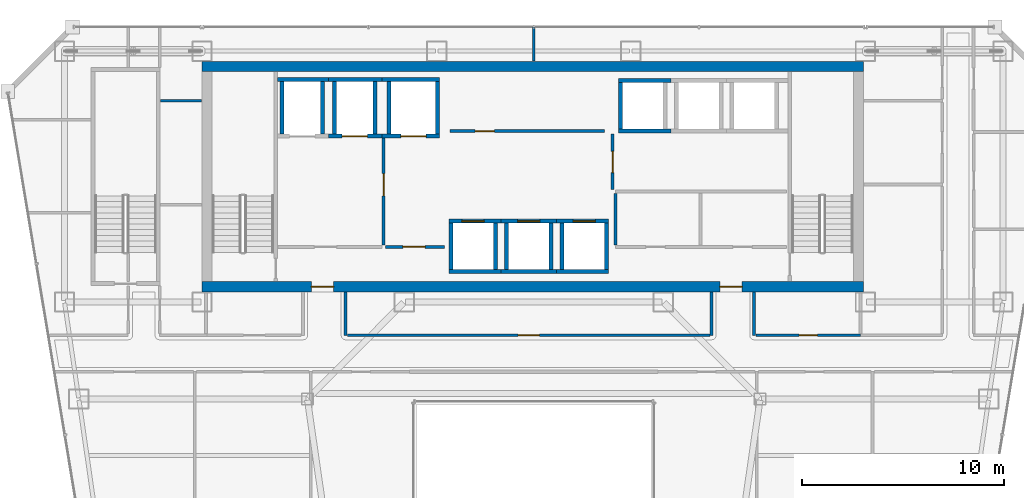
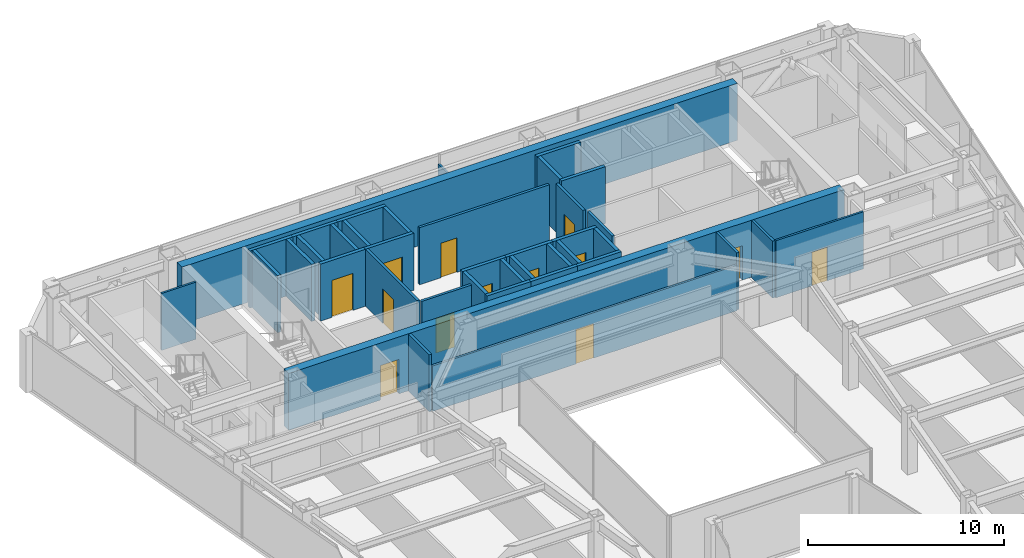
# One storey, part 34 of 40: 40 walls, 13 doors, 13 openings.
"""IFC4 building model written with IfcOpenShell, lengths in metres."""

from ifc_helpers import new_model, si_unit, direction, frame, frame_2d, origin, place, context, subcontext, project, spatial, rectangle, extrude, material, layer, layer_set, type_object, element, fill, save


model = new_model("IFC4")

# Units and contexts
model_context = context("Model", 3, precision=1e-05, world=origin(), true_north=direction((0.0, 1.0)))
body_context = subcontext(model_context, "Body", "Model", "MODEL_VIEW")
ifc_project = project(units=[si_unit("LENGTHUNIT", "METRE"), si_unit("AREAUNIT", "SQUARE_METRE"), si_unit("VOLUMEUNIT", "CUBIC_METRE"), si_unit("PLANEANGLEUNIT", "RADIAN"), si_unit("MASSUNIT", "GRAM", prefix="KILO")], contexts=[model_context])

# Site, building, storey
site_placement = place(None, origin())
site = spatial("IfcSite", under=ifc_project, at=site_placement, CompositionType="ELEMENT")
building_placement = place(site_placement, origin())
building = spatial("IfcBuilding", under=site, at=building_placement, Name="Saevonmaru Cultural Tower", CompositionType="ELEMENT")
storey_placement = place(building_placement, frame((0.0, 0.0, 129.60009765625)))
storey = spatial("IfcBuildingStorey", under=building, at=storey_placement, Name="L27", CompositionType="ELEMENT", Elevation=129.60009765625)

# Wall, openings, doors
ifc_material_1 = material(Name="Concrete C60/75", Category="concrete")
ifc_layer_1 = layer(ifc_material_1, 0.5, Name="Concrete C60/75")
ifc_layer_set_1 = layer_set([ifc_layer_1], Name="Concrete C60/75")
wall_type_1 = type_object("IfcWallType", Name="WL-CORE-500", PredefinedType="SHEAR", material=ifc_layer_set_1)
wall_1_placement = place(storey_placement, frame((13.60009765625, 43.14990234375, 0.0), z_axis=(0.0, 0.0, 1.0), x_axis=(1.0, 0.0, 0.0)))
wall_1 = element("IfcWall", 1, at=wall_1_placement, inside=storey, type_object=wall_type_1, Name="L27 Tower RC core shear wall S", PredefinedType="SHEAR", context=body_context, shape_type="SweptSolid", body=[
    extrude(rectangle(XDim=32.699951171875, YDim=0.5, at=frame_2d((16.35009765625, 0.0))), origin(), (0.0, 0.0, 1.0), 3.5498046875),
])
opening_1_placement = place(wall_1_placement, frame((5.39990234375, 0.0, 0.0)))
opening_1 = element("IfcOpeningElement", 2, at=opening_1_placement, cuts=wall_1, Name="Opening FD-2", PredefinedType="OPENING", context=body_context, shape_type="SweptSolid", body=[
    extrude(rectangle(XDim=1.10009765625, YDim=2.14990234375, at=frame_2d((0.550048828125, 1.074951171875))), frame((0.0, 0.260009765625, 0.0), z_axis=(0.0, -1.0, 0.0), x_axis=(1.0, 0.0, 0.0)), (0.0, 0.0, 1.0), 0.52001953125),
])
opening_2_placement = place(wall_1_placement, frame((25.60009765625, 0.0, 0.0)))
opening_2 = element("IfcOpeningElement", 3, at=opening_2_placement, cuts=wall_1, Name="Opening FD-2", PredefinedType="OPENING", context=body_context, shape_type="SweptSolid", body=[
    extrude(rectangle(XDim=1.10009765625, YDim=2.14990234375, at=frame_2d((0.550048828125, 1.074951171875))), frame((0.0, 0.260009765625, 0.0), z_axis=(0.0, -1.0, 0.0), x_axis=(1.0, 0.0, 0.0)), (0.0, 0.0, 1.0), 0.52001953125),
])
ifc_material_2 = material(Name="Satin Bronze Anodised Aluminium", Category="aluminium")
door_type_1 = type_object("IfcDoorType", Name="DR-FD60-1100", OperationType="SINGLE_SWING_LEFT", PredefinedType="DOOR", material=ifc_material_2)
door_1_placement = place(opening_1_placement, origin())
door_1 = element("IfcDoor", 4, at=door_1_placement, inside=storey, type_object=door_type_1, Name="L27 Core West Lobby Fire Door", OperationType="SINGLE_SWING_LEFT", OverallHeight=2.14990234375, OverallWidth=1.10009765625, PredefinedType="DOOR", context=body_context, shape_type="SweptSolid", body=[
    extrude(rectangle(XDim=1.10009765625, YDim=2.14990234375, at=frame_2d((0.550048828125, 1.074951171875))), frame((0.0, 0.02490234375, 0.0), z_axis=(0.0, -1.0, 0.0), x_axis=(1.0, 0.0, 0.0)), (0.0, 0.0, 1.0), 0.050048828125),
])
fill(opening_1, door_1)
door_2_placement = place(opening_2_placement, origin())
door_2 = element("IfcDoor", 5, at=door_2_placement, inside=storey, type_object=door_type_1, Name="L27 Core East Lobby Fire Door", OperationType="SINGLE_SWING_LEFT", OverallHeight=2.14990234375, OverallWidth=1.10009765625, PredefinedType="DOOR", context=body_context, shape_type="SweptSolid", body=[
    extrude(rectangle(XDim=1.10009765625, YDim=2.14990234375, at=frame_2d((0.550048828125, 1.074951171875))), frame((0.0, 0.02490234375, 0.0), z_axis=(0.0, -1.0, 0.0), x_axis=(1.0, 0.0, 0.0)), (0.0, 0.0, 1.0), 0.050048828125),
])
fill(opening_2, door_2)

# Wall
wall_2_placement = place(storey_placement, frame((13.60009765625, 54.050048828125, 0.0), z_axis=(0.0, 0.0, 1.0), x_axis=(1.0, 0.0, 0.0)))
element("IfcWall", 6, at=wall_2_placement, inside=storey, type_object=wall_type_1, Name="L27 Tower RC core shear wall N", PredefinedType="SHEAR", context=body_context, shape_type="SweptSolid", body=[
    extrude(rectangle(XDim=32.699951171875, YDim=0.5, at=frame_2d((16.35009765625, 0.0))), origin(), (0.0, 0.0, 1.0), 3.5498046875),
])

# Wall, opening, door
ifc_material_3 = material(Name="Gypsum Fireboard Partition", Category="gypsum")
ifc_layer_2 = layer(ifc_material_3, 0.14990234375, Name="Gypsum Fireboard Partition")
ifc_layer_set_2 = layer_set([ifc_layer_2], Name="Gypsum Fireboard Partition")
wall_type_2 = type_object("IfcWallType", Name="WL-CORE-PART-150", PredefinedType="PARTITIONING", material=ifc_layer_set_2)
wall_3_placement = place(storey_placement, frame((22.580078125, 50.550048828125, 0.0), z_axis=(0.0, 0.0, 1.0), x_axis=(0.0, -1.0, 0.0)))
wall_3 = element("IfcWall", 7, at=wall_3_placement, inside=storey, type_object=wall_type_2, Name="L27 Firefighting Lift Lobby East Wall", PredefinedType="PARTITIONING", context=body_context, shape_type="SweptSolid", body=[
    extrude(rectangle(XDim=5.330078125, YDim=0.14990234375, at=frame_2d((2.6650390625, 0.0))), origin(), (0.0, 0.0, 1.0), 3.5498046875),
])
opening_3_placement = place(wall_3_placement, frame((1.800048828125, 0.0, 0.0)))
opening_3 = element("IfcOpeningElement", 8, at=opening_3_placement, cuts=wall_3, Name="Opening FD-2", PredefinedType="OPENING", context=body_context, shape_type="SweptSolid", body=[
    extrude(rectangle(XDim=1.10009765625, YDim=2.14990234375, at=frame_2d((0.550048828125, 1.074951171875))), frame((0.0, 0.0849609375, 0.0), z_axis=(0.0, -1.0, 0.0), x_axis=(1.0, 0.0, 0.0)), (0.0, 0.0, 1.0), 0.169921875),
])
door_3_placement = place(opening_3_placement, origin())
door_3 = element("IfcDoor", 9, at=door_3_placement, inside=storey, type_object=door_type_1, Name="L27 Firefighting Lift Lobby East Door", OperationType="SINGLE_SWING_LEFT", OverallHeight=2.14990234375, OverallWidth=1.10009765625, PredefinedType="DOOR", context=body_context, shape_type="SweptSolid", body=[
    extrude(rectangle(XDim=1.10009765625, YDim=2.14990234375, at=frame_2d((0.550048828125, 1.074951171875))), frame((0.0, 0.02490234375, 0.0), z_axis=(0.0, -1.0, 0.0), x_axis=(1.0, 0.0, 0.0)), (0.0, 0.0, 1.0), 0.050048828125),
])
fill(opening_3, door_3)

wall_4_placement = place(storey_placement, frame((22.679931640625, 45.1201171875, 0.0), z_axis=(0.0, 0.0, 1.0), x_axis=(1.0, 0.0, 0.0)))
wall_4 = element("IfcWall", 10, at=wall_4_placement, inside=storey, type_object=wall_type_2, Name="L27 Service Lift Vestibule Wall", PredefinedType="PARTITIONING", context=body_context, shape_type="SweptSolid", body=[
    extrude(rectangle(XDim=2.920166015625, YDim=0.14990234375, at=frame_2d((1.4599609375, 0.0))), origin(), (0.0, 0.0, 1.0), 3.5498046875),
])
opening_4_placement = place(wall_4_placement, frame((0.85009765625, 0.0, 0.0)))
opening_4 = element("IfcOpeningElement", 11, at=opening_4_placement, cuts=wall_4, Name="Opening FD-2", PredefinedType="OPENING", context=body_context, shape_type="SweptSolid", body=[
    extrude(rectangle(XDim=1.10009765625, YDim=2.14990234375, at=frame_2d((0.550048828125, 1.074951171875))), frame((0.0, 0.0849609375, 0.0), z_axis=(0.0, -1.0, 0.0), x_axis=(1.0, 0.0, 0.0)), (0.0, 0.0, 1.0), 0.169921875),
])
door_4_placement = place(opening_4_placement, origin())
door_4 = element("IfcDoor", 12, at=door_4_placement, inside=storey, type_object=door_type_1, Name="L27 Service Lift Vestibule Door", OperationType="SINGLE_SWING_LEFT", OverallHeight=2.14990234375, OverallWidth=1.10009765625, PredefinedType="DOOR", context=body_context, shape_type="SweptSolid", body=[
    extrude(rectangle(XDim=1.10009765625, YDim=2.14990234375, at=frame_2d((0.550048828125, 1.074951171875))), frame((0.0, 0.02490234375, 0.0), z_axis=(0.0, -1.0, 0.0), x_axis=(1.0, 0.0, 0.0)), (0.0, 0.0, 1.0), 0.050048828125),
])
fill(opening_4, door_4)

wall_5_placement = place(storey_placement, frame((33.89990234375, 47.949951171875, 0.0), z_axis=(0.0, 0.0, 1.0), x_axis=(0.0, 1.0, 0.0)))
wall_5 = element("IfcWall", 13, at=wall_5_placement, inside=storey, type_object=wall_type_2, Name="L27 Zone Lobby Divider", PredefinedType="PARTITIONING", context=body_context, shape_type="SweptSolid", body=[
    extrude(rectangle(XDim=2.75, YDim=0.14990234375, at=frame_2d((1.375, 0.0))), origin(), (0.0, 0.0, 1.0), 3.5498046875),
])
opening_5_placement = place(wall_5_placement, frame((0.85009765625, 0.0, 0.0)))
opening_5 = element("IfcOpeningElement", 14, at=opening_5_placement, cuts=wall_5, Name="Opening ID-1", PredefinedType="OPENING", context=body_context, shape_type="SweptSolid", body=[
    extrude(rectangle(XDim=1.050048828125, YDim=2.14990234375, at=frame_2d((0.52490234375, 1.074951171875))), frame((0.0, 0.0849609375, 0.0), z_axis=(0.0, -1.0, 0.0), x_axis=(1.0, 0.0, 0.0)), (0.0, 0.0, 1.0), 0.169921875),
])
door_type_2 = type_object("IfcDoorType", Name="DR-INT-1050", OperationType="SINGLE_SWING_LEFT", PredefinedType="DOOR", material=ifc_material_2)
door_5_placement = place(opening_5_placement, origin())
door_5 = element("IfcDoor", 15, at=door_5_placement, inside=storey, type_object=door_type_2, Name="L27 Inter-Lobby Link Door", OperationType="SINGLE_SWING_LEFT", OverallHeight=2.14990234375, OverallWidth=1.050048828125, PredefinedType="DOOR", context=body_context, shape_type="SweptSolid", body=[
    extrude(rectangle(XDim=1.050048828125, YDim=2.14990234375, at=frame_2d((0.52490234375, 1.074951171875))), frame((0.0, 0.02490234375, 0.0), z_axis=(0.0, -1.0, 0.0), x_axis=(1.0, 0.0, 0.0)), (0.0, 0.0, 1.0), 0.050048828125),
])
fill(opening_5, door_5)

# Wall
wall_6_placement = place(storey_placement, frame((34.050048828125, 45.219970703125, 0.0), z_axis=(0.0, 0.0, 1.0), x_axis=(0.0, 1.0, 0.0)))
element("IfcWall", 16, at=wall_6_placement, inside=storey, type_object=wall_type_2, Name="L27 Core Plant West Wall", PredefinedType="PARTITIONING", context=body_context, shape_type="SweptSolid", body=[
    extrude(rectangle(XDim=2.530029296875, YDim=0.14990234375, at=frame_2d((1.26513671875, 0.0))), origin(), (0.0, 0.0, 1.0), 3.5498046875),
])

# Wall, opening, door
wall_7_placement = place(storey_placement, frame((25.85009765625, 50.85009765625, 0.0), z_axis=(0.0, 0.0, 1.0), x_axis=(1.0, 0.0, 0.0)))
wall_7 = element("IfcWall", 17, at=wall_7_placement, inside=storey, type_object=wall_type_2, Name="L27 Reclaimed Core Room South Wall", PredefinedType="PARTITIONING", context=body_context, shape_type="SweptSolid", body=[
    extrude(rectangle(XDim=7.64990234375, YDim=0.14990234375, at=frame_2d((3.824951171875, 0.0))), origin(), (0.0, 0.0, 1.0), 3.5498046875),
])
opening_6_placement = place(wall_7_placement, frame((1.25, 0.0, 0.0)))
opening_6 = element("IfcOpeningElement", 18, at=opening_6_placement, cuts=wall_7, Name="Opening FD-4", PredefinedType="OPENING", context=body_context, shape_type="SweptSolid", body=[
    extrude(rectangle(XDim=0.949951171875, YDim=2.14990234375, at=frame_2d((0.47509765625, 1.074951171875))), frame((0.0, 0.0849609375, 0.0), z_axis=(0.0, -1.0, 0.0), x_axis=(1.0, 0.0, 0.0)), (0.0, 0.0, 1.0), 0.169921875),
])
door_type_3 = type_object("IfcDoorType", Name="DR-FD60-950", OperationType="SINGLE_SWING_LEFT", PredefinedType="DOOR", material=ifc_material_2)
door_6_placement = place(opening_6_placement, origin())
door_6 = element("IfcDoor", 19, at=door_6_placement, inside=storey, type_object=door_type_3, Name="L27 Reclaimed Archive Vault Door", OperationType="SINGLE_SWING_LEFT", OverallHeight=2.14990234375, OverallWidth=0.949951171875, PredefinedType="DOOR", context=body_context, shape_type="SweptSolid", body=[
    extrude(rectangle(XDim=0.949951171875, YDim=2.14990234375, at=frame_2d((0.47509765625, 1.074951171875))), frame((0.0, 0.02490234375, 0.0), z_axis=(0.0, -1.0, 0.0), x_axis=(1.0, 0.0, 0.0)), (0.0, 0.0, 1.0), 0.050048828125),
])
fill(opening_6, door_6)

# Walls
ifc_layer_3 = layer(ifc_material_3, 0.14990234375, Name="Gypsum Fireboard Partition")
ifc_layer_set_3 = layer_set([ifc_layer_3], Name="Gypsum Fireboard Partition")
wall_type_3 = type_object("IfcWallType", Name="WL-PART-FIRE-150", PredefinedType="PARTITIONING", material=ifc_layer_set_3)
for number, where, z_axis, x_axis, name in (
    (20, (20.699951171875, 40.75, 0.0), (0.0, 0.0, 1.0), (0.0, 1.0, 0.0), "L27 Core Portal Side Wall W2"),
    (21, (38.800048828125, 40.75, 0.0), (0.0, 0.0, 1.0), (0.0, 1.0, 0.0), "L27 Core Portal Side Wall E1"),
    (22, (40.89990234375, 40.75, 0.0), (0.0, 0.0, 1.0), (0.0, 1.0, 0.0), "L27 Core Portal Side Wall E2"),
):
    element("IfcWall", number, at=place(storey_placement, frame(where, z_axis=z_axis, x_axis=x_axis)), inside=storey, type_object=wall_type_3, Name=name, PredefinedType="PARTITIONING", context=body_context, shape_type="SweptSolid", body=[
        extrude(rectangle(XDim=2.1298828125, YDim=0.14990234375, at=frame_2d((1.06494140625, 0.0))), origin(), (0.0, 0.0, 1.0), 3.5498046875),
    ])
ifc_layer_4 = layer(ifc_material_3, 0.1201171875, Name="Gypsum Fireboard Partition")
ifc_layer_set_4 = layer_set([ifc_layer_4], Name="Gypsum Fireboard Partition")
wall_type_4 = type_object("IfcWallType", Name="WL-PART-GYP-120", PredefinedType="PARTITIONING", material=ifc_layer_set_4)
wall_8_placement = place(storey_placement, frame((11.550048828125, 52.35009765625, 0.0), z_axis=(0.0, 0.0, 1.0), x_axis=(1.0, 0.0, 0.0)))
element("IfcWall", 23, at=wall_8_placement, inside=storey, type_object=wall_type_4, Name="L27 North-West Panorama South Wall", PredefinedType="PARTITIONING", context=body_context, shape_type="SweptSolid", body=[
    extrude(rectangle(XDim=2.030029296875, YDim=0.1201171875, at=frame_2d((1.01513671875, 0.0))), origin(), (0.0, 0.0, 1.0), 3.5498046875),
])
wall_9_placement = place(storey_placement, frame((30.0, 54.320068359375, 0.0), z_axis=(0.0, 0.0, 1.0), x_axis=(0.0, 1.0, 0.0)))
element("IfcWall", 24, at=wall_9_placement, inside=storey, type_object=wall_type_4, Name="L27 North Panorama Center Split", PredefinedType="PARTITIONING", context=body_context, shape_type="SweptSolid", body=[
    extrude(rectangle(XDim=1.675048828125, YDim=0.1201171875, at=frame_2d((0.83740234375, 0.0))), origin(), (0.0, 0.0, 1.0), 2.934814453125),
])

# Wall, opening, door
wall_10_placement = place(storey_placement, frame((20.794921875, 40.75, 0.0), z_axis=(0.0, 0.0, 1.0), x_axis=(1.0, 0.0, 0.0)))
wall_10 = element("IfcWall", 25, at=wall_10_placement, inside=storey, type_object=wall_type_4, Name="L27 Art History Reading Room Corridor Wall", PredefinedType="PARTITIONING", context=body_context, shape_type="SweptSolid", body=[
    extrude(rectangle(XDim=17.91015625, YDim=0.1201171875, at=frame_2d((8.955078125, 0.0))), origin(), (0.0, 0.0, 1.0), 2.8349609375),
])
opening_7_placement = place(wall_10_placement, frame((8.429931640625, 0.0, 0.0)))
opening_7 = element("IfcOpeningElement", 26, at=opening_7_placement, cuts=wall_10, Name="Opening ID-1", PredefinedType="OPENING", context=body_context, shape_type="SweptSolid", body=[
    extrude(rectangle(XDim=1.050048828125, YDim=2.14990234375, at=frame_2d((0.52490234375, 1.074951171875))), frame((0.0, 0.070068359375, 0.0), z_axis=(0.0, -1.0, 0.0), x_axis=(1.0, 0.0, 0.0)), (0.0, 0.0, 1.0), 0.14013671875),
])
door_7_placement = place(opening_7_placement, origin())
door_7 = element("IfcDoor", 27, at=door_7_placement, inside=storey, type_object=door_type_2, Name="L27 Art History Reading Room Door", OperationType="SINGLE_SWING_LEFT", OverallHeight=2.14990234375, OverallWidth=1.050048828125, PredefinedType="DOOR", context=body_context, shape_type="SweptSolid", body=[
    extrude(rectangle(XDim=1.050048828125, YDim=2.14990234375, at=frame_2d((0.52490234375, 1.074951171875))), frame((0.0, 0.02490234375, 0.0), z_axis=(0.0, -1.0, 0.0), x_axis=(1.0, 0.0, 0.0)), (0.0, 0.0, 1.0), 0.050048828125),
])
fill(opening_7, door_7)

wall_11_placement = place(storey_placement, frame((40.9951171875, 40.75, 0.0), z_axis=(0.0, 0.0, 1.0), x_axis=(1.0, 0.0, 0.0)))
wall_11 = element("IfcWall", 28, at=wall_11_placement, inside=storey, type_object=wall_type_4, Name="L27 Typography Design Classroom Corridor Wall", PredefinedType="PARTITIONING", context=body_context, shape_type="SweptSolid", body=[
    extrude(rectangle(XDim=5.15478515625, YDim=0.1201171875, at=frame_2d((2.577392578125, 0.0))), origin(), (0.0, 0.0, 1.0), 3.5498046875),
])
opening_8_placement = place(wall_11_placement, frame((2.1279296875, 0.0, 0.0)))
opening_8 = element("IfcOpeningElement", 29, at=opening_8_placement, cuts=wall_11, Name="Opening ID-2", PredefinedType="OPENING", context=body_context, shape_type="SweptSolid", body=[
    extrude(rectangle(XDim=0.89990234375, YDim=2.10009765625, at=frame_2d((0.449951171875, 1.050048828125))), frame((0.0, 0.070068359375, 0.0), z_axis=(0.0, -1.0, 0.0), x_axis=(1.0, 0.0, 0.0)), (0.0, 0.0, 1.0), 0.14013671875),
])
ifc_material_4 = material(Name="Acoustic Stained Oak Timber", Category="wood")
door_type_4 = type_object("IfcDoorType", Name="DR-INT-900", OperationType="SINGLE_SWING_RIGHT", PredefinedType="DOOR", material=ifc_material_4)
door_8_placement = place(opening_8_placement, origin())
door_8 = element("IfcDoor", 30, at=door_8_placement, inside=storey, type_object=door_type_4, Name="L27 Typography Design Classroom Door", OperationType="SINGLE_SWING_RIGHT", OverallHeight=2.10009765625, OverallWidth=0.89990234375, PredefinedType="DOOR", context=body_context, shape_type="SweptSolid", body=[
    extrude(rectangle(XDim=0.89990234375, YDim=2.10009765625, at=frame_2d((0.449951171875, 1.050048828125))), frame((0.0, 0.02490234375, 0.0), z_axis=(0.0, -1.0, 0.0), x_axis=(1.0, 0.0, 0.0)), (0.0, 0.0, 1.0), 0.050048828125),
])
fill(opening_8, door_8)

# Walls
ifc_material_5 = material(Name="Concrete C40/50", Category="concrete")
ifc_layer_5 = layer(ifc_material_5, 0.199951171875, Name="Concrete C40/50")
ifc_layer_set_5 = layer_set([ifc_layer_5], Name="Concrete C40/50")
wall_type_5 = type_object("IfcWallType", Name="WL-SHAFT-200", PredefinedType="SHEAR", material=ifc_layer_set_5)
wall_12_placement = place(storey_placement, frame((17.330078125, 53.39990234375, 0.0), z_axis=(0.0, 0.0, 1.0), x_axis=(1.0, 0.0, 0.0)))
element("IfcWall", 31, at=wall_12_placement, inside=storey, type_object=wall_type_5, Name="L27 Lift FFL-1 Hoistway Wall N", PredefinedType="SHEAR", context=body_context, shape_type="SweptSolid", body=[
    extrude(rectangle(XDim=2.52001953125, YDim=0.199951171875, at=frame_2d((1.260009765625, 0.0))), origin(), (0.0, 0.0, 1.0), 3.5498046875),
])
for number, where, z_axis, x_axis, name in (
    (32, (17.550048828125, 50.699951171875, 0.0), (0.0, 0.0, 1.0), (0.0, 1.0, 0.0), "L27 Lift FFL-1 Hoistway Wall W"),
    (33, (19.550048828125, 50.699951171875, 0.0), (0.0, 0.0, 1.0), (0.0, 1.0, 0.0), "L27 Lift FFL-1 Hoistway Wall E"),
):
    element("IfcWall", number, at=place(storey_placement, frame(where, z_axis=z_axis, x_axis=x_axis)), inside=storey, type_object=wall_type_5, Name=name, PredefinedType="SHEAR", context=body_context, shape_type="SweptSolid", body=[
        extrude(rectangle(XDim=2.60009765625, YDim=0.199951171875, at=frame_2d((1.300048828125, 0.0))), origin(), (0.0, 0.0, 1.0), 3.5498046875),
    ])

# Wall, opening, door
wall_13_placement = place(storey_placement, frame((19.85009765625, 50.60009765625, 0.0), z_axis=(0.0, 0.0, 1.0), x_axis=(1.0, 0.0, 0.0)))
wall_13 = element("IfcWall", 34, at=wall_13_placement, inside=storey, type_object=wall_type_5, Name="L27 Lift FFL-2 Hoistway Wall S", PredefinedType="SHEAR", context=body_context, shape_type="SweptSolid", body=[
    extrude(rectangle(XDim=2.64990234375, YDim=0.199951171875, at=frame_2d((1.324951171875, 0.0))), origin(), (0.0, 0.0, 1.0), 3.5498046875),
])
opening_9_placement = place(wall_13_placement, frame((0.675048828125, 0.0, 0.0)))
opening_9 = element("IfcOpeningElement", 35, at=opening_9_placement, cuts=wall_13, Name="Opening LD-2", PredefinedType="OPENING", context=body_context, shape_type="SweptSolid", body=[
    extrude(rectangle(XDim=1.25, YDim=2.300048828125, at=frame_2d((0.625, 1.14990234375))), frame((0.0, 0.10986328125, 0.0), z_axis=(0.0, -1.0, 0.0), x_axis=(1.0, 0.0, 0.0)), (0.0, 0.0, 1.0), 0.219970703125),
])
ifc_material_6 = material(Name="Stainless Steel 316", Category="steel")
door_type_5 = type_object("IfcDoorType", Name="DR-LIFT-1250", OperationType="SLIDING_TO_LEFT", PredefinedType="DOOR", material=ifc_material_6)
door_9_placement = place(opening_9_placement, origin())
door_9 = element("IfcDoor", 36, at=door_9_placement, inside=storey, type_object=door_type_5, Name="L27 Lift FFL-2 Sliding Landing Door", OperationType="SLIDING_TO_LEFT", OverallHeight=2.300048828125, OverallWidth=1.25, PredefinedType="DOOR", context=body_context, shape_type="SweptSolid", body=[
    extrude(rectangle(XDim=1.25, YDim=2.300048828125, at=frame_2d((0.625, 1.14990234375))), frame((0.0, 0.02490234375, 0.0), z_axis=(0.0, -1.0, 0.0), x_axis=(1.0, 0.0, 0.0)), (0.0, 0.0, 1.0), 0.050048828125),
])
fill(opening_9, door_9)

# Walls
wall_14_placement = place(storey_placement, frame((19.85009765625, 53.39990234375, 0.0), z_axis=(0.0, 0.0, 1.0), x_axis=(1.0, 0.0, 0.0)))
element("IfcWall", 37, at=wall_14_placement, inside=storey, type_object=wall_type_5, Name="L27 Lift FFL-2 Hoistway Wall N", PredefinedType="SHEAR", context=body_context, shape_type="SweptSolid", body=[
    extrude(rectangle(XDim=2.64990234375, YDim=0.199951171875, at=frame_2d((1.324951171875, 0.0))), origin(), (0.0, 0.0, 1.0), 3.5498046875),
])
for number, where, z_axis, x_axis, name in (
    (38, (20.14990234375, 50.699951171875, 0.0), (0.0, 0.0, 1.0), (0.0, 1.0, 0.0), "L27 Lift FFL-2 Hoistway Wall W"),
    (39, (22.14990234375, 50.699951171875, 0.0), (0.0, 0.0, 1.0), (0.0, 1.0, 0.0), "L27 Lift FFL-2 Hoistway Wall E"),
):
    element("IfcWall", number, at=place(storey_placement, frame(where, z_axis=z_axis, x_axis=x_axis)), inside=storey, type_object=wall_type_5, Name=name, PredefinedType="SHEAR", context=body_context, shape_type="SweptSolid", body=[
        extrude(rectangle(XDim=2.60009765625, YDim=0.199951171875, at=frame_2d((1.300048828125, 0.0))), origin(), (0.0, 0.0, 1.0), 3.5498046875),
    ])

# Wall, opening, door
wall_15_placement = place(storey_placement, frame((22.5, 50.60009765625, 0.0), z_axis=(0.0, 0.0, 1.0), x_axis=(1.0, 0.0, 0.0)))
wall_15 = element("IfcWall", 40, at=wall_15_placement, inside=storey, type_object=wall_type_5, Name="L27 Lift GL-1 Hoistway Wall S", PredefinedType="SHEAR", context=body_context, shape_type="SweptSolid", body=[
    extrude(rectangle(XDim=2.85009765625, YDim=0.199951171875, at=frame_2d((1.425048828125, 0.0))), origin(), (0.0, 0.0, 1.0), 3.5498046875),
])
opening_10_placement = place(wall_15_placement, frame((0.925048828125, 0.0, 0.0)))
opening_10 = element("IfcOpeningElement", 41, at=opening_10_placement, cuts=wall_15, Name="Opening LD-2", PredefinedType="OPENING", context=body_context, shape_type="SweptSolid", body=[
    extrude(rectangle(XDim=1.25, YDim=2.300048828125, at=frame_2d((0.625, 1.14990234375))), frame((0.0, 0.10986328125, 0.0), z_axis=(0.0, -1.0, 0.0), x_axis=(1.0, 0.0, 0.0)), (0.0, 0.0, 1.0), 0.219970703125),
])
door_10_placement = place(opening_10_placement, origin())
door_10 = element("IfcDoor", 42, at=door_10_placement, inside=storey, type_object=door_type_5, Name="L27 Lift GL-1 Sliding Landing Door", OperationType="SLIDING_TO_LEFT", OverallHeight=2.300048828125, OverallWidth=1.25, PredefinedType="DOOR", context=body_context, shape_type="SweptSolid", body=[
    extrude(rectangle(XDim=1.25, YDim=2.300048828125, at=frame_2d((0.625, 1.14990234375))), frame((0.0, 0.02490234375, 0.0), z_axis=(0.0, -1.0, 0.0), x_axis=(1.0, 0.0, 0.0)), (0.0, 0.0, 1.0), 0.050048828125),
])
fill(opening_10, door_10)

# Walls
wall_16_placement = place(storey_placement, frame((22.5, 53.39990234375, 0.0), z_axis=(0.0, 0.0, 1.0), x_axis=(1.0, 0.0, 0.0)))
element("IfcWall", 43, at=wall_16_placement, inside=storey, type_object=wall_type_5, Name="L27 Lift GL-1 Hoistway Wall N", PredefinedType="SHEAR", context=body_context, shape_type="SweptSolid", body=[
    extrude(rectangle(XDim=2.85009765625, YDim=0.199951171875, at=frame_2d((1.425048828125, 0.0))), origin(), (0.0, 0.0, 1.0), 3.5498046875),
])
for number, where, z_axis, x_axis, name in (
    (44, (22.85009765625, 50.699951171875, 0.0), (0.0, 0.0, 1.0), (0.0, 1.0, 0.0), "L27 Lift GL-1 Hoistway Wall W"),
    (45, (25.25, 50.699951171875, 0.0), (0.0, 0.0, 1.0), (0.0, 1.0, 0.0), "L27 Lift GL-1 Hoistway Wall E"),
):
    element("IfcWall", number, at=place(storey_placement, frame(where, z_axis=z_axis, x_axis=x_axis)), inside=storey, type_object=wall_type_5, Name=name, PredefinedType="SHEAR", context=body_context, shape_type="SweptSolid", body=[
        extrude(rectangle(XDim=2.60009765625, YDim=0.199951171875, at=frame_2d((1.300048828125, 0.0))), origin(), (0.0, 0.0, 1.0), 3.5498046875),
    ])
wall_17_placement = place(storey_placement, frame((25.800048828125, 43.89990234375, 0.0), z_axis=(0.0, 0.0, 1.0), x_axis=(1.0, 0.0, 0.0)))
element("IfcWall", 46, at=wall_17_placement, inside=storey, type_object=wall_type_5, Name="L27 Lift PL-M1 Hoistway Wall S", PredefinedType="SHEAR", context=body_context, shape_type="SweptSolid", body=[
    extrude(rectangle(XDim=2.574951171875, YDim=0.199951171875, at=frame_2d((1.28759765625, 0.0))), origin(), (0.0, 0.0, 1.0), 3.5498046875),
])

# Wall, opening, door
wall_18_placement = place(storey_placement, frame((25.800048828125, 46.39990234375, 0.0), z_axis=(0.0, 0.0, 1.0), x_axis=(1.0, 0.0, 0.0)))
wall_18 = element("IfcWall", 47, at=wall_18_placement, inside=storey, type_object=wall_type_5, Name="L27 Lift PL-M1 Hoistway Wall N", PredefinedType="SHEAR", context=body_context, shape_type="SweptSolid", body=[
    extrude(rectangle(XDim=2.574951171875, YDim=0.199951171875, at=frame_2d((1.28759765625, 0.0))), origin(), (0.0, 0.0, 1.0), 3.5498046875),
])
opening_11_placement = place(wall_18_placement, frame((0.64990234375, 0.0, 0.0)))
opening_11 = element("IfcOpeningElement", 48, at=opening_11_placement, cuts=wall_18, Name="Opening LD-1", PredefinedType="OPENING", context=body_context, shape_type="SweptSolid", body=[
    extrude(rectangle(XDim=1.10009765625, YDim=2.199951171875, at=frame_2d((0.550048828125, 1.10009765625))), frame((0.0, 0.10986328125, 0.0), z_axis=(0.0, -1.0, 0.0), x_axis=(1.0, 0.0, 0.0)), (0.0, 0.0, 1.0), 0.219970703125),
])
ifc_material_7 = material(Name="Satin Bronze Stainless Steel", Category="steel")
door_type_6 = type_object("IfcDoorType", Name="DR-LIFT-1100", OperationType="SLIDING_TO_LEFT", PredefinedType="DOOR", material=ifc_material_7)
door_11_placement = place(opening_11_placement, origin())
door_11 = element("IfcDoor", 49, at=door_11_placement, inside=storey, type_object=door_type_6, Name="L27 Lift PL-M1 Sliding Landing Door", OperationType="SLIDING_TO_LEFT", OverallHeight=2.199951171875, OverallWidth=1.10009765625, PredefinedType="DOOR", context=body_context, shape_type="SweptSolid", body=[
    extrude(rectangle(XDim=1.10009765625, YDim=2.199951171875, at=frame_2d((0.550048828125, 1.10009765625))), frame((0.0, 0.02490234375, 0.0), z_axis=(0.0, -1.0, 0.0), x_axis=(1.0, 0.0, 0.0)), (0.0, 0.0, 1.0), 0.050048828125),
])
fill(opening_11, door_11)

# Walls
for number, where, z_axis, x_axis, name in (
    (50, (25.89990234375, 44.0, 0.0), (0.0, 0.0, 1.0), (0.0, 1.0, 0.0), "L27 Lift PL-M1 Hoistway Wall W"),
    (51, (28.10009765625, 44.0, 0.0), (0.0, 0.0, 1.0), (0.0, 1.0, 0.0), "L27 Lift PL-M1 Hoistway Wall E"),
):
    element("IfcWall", number, at=place(storey_placement, frame(where, z_axis=z_axis, x_axis=x_axis)), inside=storey, type_object=wall_type_5, Name=name, PredefinedType="SHEAR", context=body_context, shape_type="SweptSolid", body=[
        extrude(rectangle(XDim=2.300048828125, YDim=0.199951171875, at=frame_2d((1.14990234375, 0.0))), origin(), (0.0, 0.0, 1.0), 3.5498046875),
    ])
wall_19_placement = place(storey_placement, frame((28.375, 43.89990234375, 0.0), z_axis=(0.0, 0.0, 1.0), x_axis=(1.0, 0.0, 0.0)))
element("IfcWall", 52, at=wall_19_placement, inside=storey, type_object=wall_type_5, Name="L27 Lift PL-M2 Hoistway Wall S", PredefinedType="SHEAR", context=body_context, shape_type="SweptSolid", body=[
    extrude(rectangle(XDim=2.75, YDim=0.199951171875, at=frame_2d((1.375, 0.0))), origin(), (0.0, 0.0, 1.0), 3.5498046875),
])

# Wall, opening, door
wall_20_placement = place(storey_placement, frame((28.375, 46.39990234375, 0.0), z_axis=(0.0, 0.0, 1.0), x_axis=(1.0, 0.0, 0.0)))
wall_20 = element("IfcWall", 53, at=wall_20_placement, inside=storey, type_object=wall_type_5, Name="L27 Lift PL-M2 Hoistway Wall N", PredefinedType="SHEAR", context=body_context, shape_type="SweptSolid", body=[
    extrude(rectangle(XDim=2.75, YDim=0.199951171875, at=frame_2d((1.375, 0.0))), origin(), (0.0, 0.0, 1.0), 3.5498046875),
])
opening_12_placement = place(wall_20_placement, frame((0.824951171875, 0.0, 0.0)))
opening_12 = element("IfcOpeningElement", 54, at=opening_12_placement, cuts=wall_20, Name="Opening LD-1", PredefinedType="OPENING", context=body_context, shape_type="SweptSolid", body=[
    extrude(rectangle(XDim=1.10009765625, YDim=2.199951171875, at=frame_2d((0.550048828125, 1.10009765625))), frame((0.0, 0.10986328125, 0.0), z_axis=(0.0, -1.0, 0.0), x_axis=(1.0, 0.0, 0.0)), (0.0, 0.0, 1.0), 0.219970703125),
])
door_12_placement = place(opening_12_placement, origin())
door_12 = element("IfcDoor", 55, at=door_12_placement, inside=storey, type_object=door_type_6, Name="L27 Lift PL-M2 Sliding Landing Door", OperationType="SLIDING_TO_LEFT", OverallHeight=2.199951171875, OverallWidth=1.10009765625, PredefinedType="DOOR", context=body_context, shape_type="SweptSolid", body=[
    extrude(rectangle(XDim=1.10009765625, YDim=2.199951171875, at=frame_2d((0.550048828125, 1.10009765625))), frame((0.0, 0.02490234375, 0.0), z_axis=(0.0, -1.0, 0.0), x_axis=(1.0, 0.0, 0.0)), (0.0, 0.0, 1.0), 0.050048828125),
])
fill(opening_12, door_12)

# Walls
for number, where, z_axis, x_axis, name in (
    (56, (28.64990234375, 44.0, 0.0), (0.0, 0.0, 1.0), (0.0, 1.0, 0.0), "L27 Lift PL-M2 Hoistway Wall W"),
    (57, (30.85009765625, 44.0, 0.0), (0.0, 0.0, 1.0), (0.0, 1.0, 0.0), "L27 Lift PL-M2 Hoistway Wall E"),
):
    element("IfcWall", number, at=place(storey_placement, frame(where, z_axis=z_axis, x_axis=x_axis)), inside=storey, type_object=wall_type_5, Name=name, PredefinedType="SHEAR", context=body_context, shape_type="SweptSolid", body=[
        extrude(rectangle(XDim=2.300048828125, YDim=0.199951171875, at=frame_2d((1.14990234375, 0.0))), origin(), (0.0, 0.0, 1.0), 3.5498046875),
    ])
wall_21_placement = place(storey_placement, frame((31.125, 43.89990234375, 0.0), z_axis=(0.0, 0.0, 1.0), x_axis=(1.0, 0.0, 0.0)))
element("IfcWall", 58, at=wall_21_placement, inside=storey, type_object=wall_type_5, Name="L27 Lift PL-M3 Hoistway Wall S", PredefinedType="SHEAR", context=body_context, shape_type="SweptSolid", body=[
    extrude(rectangle(XDim=2.574951171875, YDim=0.199951171875, at=frame_2d((1.28759765625, 0.0))), origin(), (0.0, 0.0, 1.0), 3.5498046875),
])

# Wall, opening, door
wall_22_placement = place(storey_placement, frame((31.125, 46.39990234375, 0.0), z_axis=(0.0, 0.0, 1.0), x_axis=(1.0, 0.0, 0.0)))
wall_22 = element("IfcWall", 59, at=wall_22_placement, inside=storey, type_object=wall_type_5, Name="L27 Lift PL-M3 Hoistway Wall N", PredefinedType="SHEAR", context=body_context, shape_type="SweptSolid", body=[
    extrude(rectangle(XDim=2.574951171875, YDim=0.199951171875, at=frame_2d((1.28759765625, 0.0))), origin(), (0.0, 0.0, 1.0), 3.5498046875),
])
opening_13_placement = place(wall_22_placement, frame((0.824951171875, 0.0, 0.0)))
opening_13 = element("IfcOpeningElement", 60, at=opening_13_placement, cuts=wall_22, Name="Opening LD-1", PredefinedType="OPENING", context=body_context, shape_type="SweptSolid", body=[
    extrude(rectangle(XDim=1.10009765625, YDim=2.199951171875, at=frame_2d((0.550048828125, 1.10009765625))), frame((0.0, 0.10986328125, 0.0), z_axis=(0.0, -1.0, 0.0), x_axis=(1.0, 0.0, 0.0)), (0.0, 0.0, 1.0), 0.219970703125),
])
door_13_placement = place(opening_13_placement, origin())
door_13 = element("IfcDoor", 61, at=door_13_placement, inside=storey, type_object=door_type_6, Name="L27 Lift PL-M3 Sliding Landing Door", OperationType="SLIDING_TO_LEFT", OverallHeight=2.199951171875, OverallWidth=1.10009765625, PredefinedType="DOOR", context=body_context, shape_type="SweptSolid", body=[
    extrude(rectangle(XDim=1.10009765625, YDim=2.199951171875, at=frame_2d((0.550048828125, 1.10009765625))), frame((0.0, 0.02490234375, 0.0), z_axis=(0.0, -1.0, 0.0), x_axis=(1.0, 0.0, 0.0)), (0.0, 0.0, 1.0), 0.050048828125),
])
fill(opening_13, door_13)

# Walls
for number, where, z_axis, x_axis, name in (
    (62, (31.39990234375, 44.0, 0.0), (0.0, 0.0, 1.0), (0.0, 1.0, 0.0), "L27 Lift PL-M3 Hoistway Wall W"),
    (63, (33.60009765625, 44.0, 0.0), (0.0, 0.0, 1.0), (0.0, 1.0, 0.0), "L27 Lift PL-M3 Hoistway Wall E"),
):
    element("IfcWall", number, at=place(storey_placement, frame(where, z_axis=z_axis, x_axis=x_axis)), inside=storey, type_object=wall_type_5, Name=name, PredefinedType="SHEAR", context=body_context, shape_type="SweptSolid", body=[
        extrude(rectangle(XDim=2.300048828125, YDim=0.199951171875, at=frame_2d((1.14990234375, 0.0))), origin(), (0.0, 0.0, 1.0), 3.5498046875),
    ])
for number, where, z_axis, x_axis, name in (
    (64, (34.199951171875, 50.85009765625, 0.0), (0.0, 0.0, 1.0), (1.0, 0.0, 0.0), "L27 Lift PL-H1 Hoistway Wall S"),
    (65, (34.199951171875, 53.35009765625, 0.0), (0.0, 0.0, 1.0), (1.0, 0.0, 0.0), "L27 Lift PL-H1 Hoistway Wall N"),
):
    element("IfcWall", number, at=place(storey_placement, frame(where, z_axis=z_axis, x_axis=x_axis)), inside=storey, type_object=wall_type_5, Name=name, PredefinedType="SHEAR", context=body_context, shape_type="SweptSolid", body=[
        extrude(rectangle(XDim=2.574951171875, YDim=0.199951171875, at=frame_2d((1.28759765625, 0.0))), origin(), (0.0, 0.0, 1.0), 3.5498046875),
    ])
wall_23_placement = place(storey_placement, frame((34.300048828125, 50.949951171875, 0.0), z_axis=(0.0, 0.0, 1.0), x_axis=(0.0, 1.0, 0.0)))
element("IfcWall", 66, at=wall_23_placement, inside=storey, type_object=wall_type_5, Name="L27 Lift PL-H1 Hoistway Wall W", PredefinedType="SHEAR", context=body_context, shape_type="SweptSolid", body=[
    extrude(rectangle(XDim=2.300048828125, YDim=0.199951171875, at=frame_2d((1.14990234375, 0.0))), origin(), (0.0, 0.0, 1.0), 3.5498046875),
])

save(model, "model.ifc")
